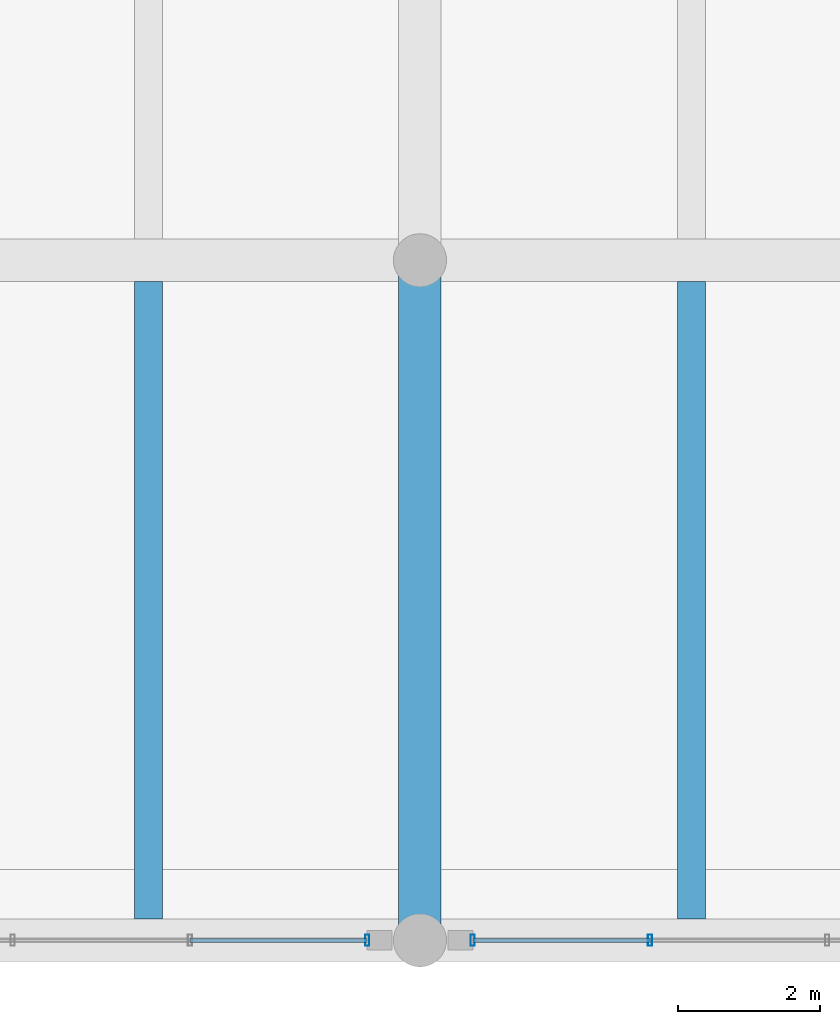
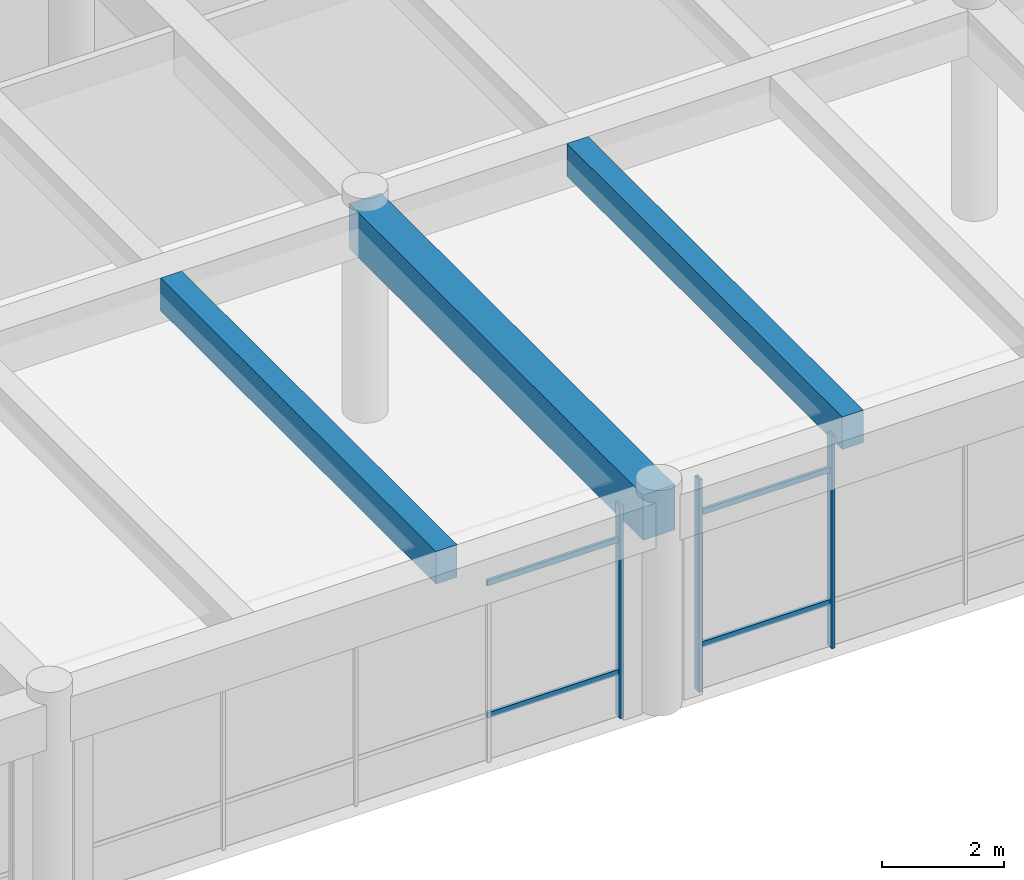
# One storey, part 32 of 154: 7 members, 3 beams, 2 elements without a shape of their own.
"""IFC4 building model written with IfcOpenShell, lengths in metres."""

from ifc_helpers import new_model, si_unit, direction, frame, origin, origin_2d, place, context, subcontext, project, spatial, rectangle, hollow_rectangle, extrude, material, material_profile, profile_set, type_object, element, aggregate, save


model = new_model("IFC4")

# Units and contexts
model_context = context("Model", 3, precision=1e-05, world=origin(), true_north=direction((0.0, 1.0)))
body_context = subcontext(model_context, "Body", "Model", "MODEL_VIEW")
ifc_project = project(units=[si_unit("LENGTHUNIT", "METRE"), si_unit("AREAUNIT", "SQUARE_METRE"), si_unit("VOLUMEUNIT", "CUBIC_METRE"), si_unit("PLANEANGLEUNIT", "RADIAN"), si_unit("MASSUNIT", "GRAM", prefix="KILO")], contexts=[model_context])

# Site, building, storey
site_placement = place(None, origin())
site = spatial("IfcSite", under=ifc_project, at=site_placement, CompositionType="ELEMENT")
building_placement = place(site_placement, origin())
building = spatial("IfcBuilding", under=site, at=building_placement, Name="Ologun Quay Terminus", CompositionType="ELEMENT")
storey_placement = place(building_placement, frame((0.0, 0.0, 13.800048828125)))
storey = spatial("IfcBuildingStorey", under=building, at=storey_placement, Name="L03", CompositionType="ELEMENT", Elevation=13.800048828125)

# Curtain wall, member
ifc_material_1 = material(Name="Aluminium 6063-T6", Category="aluminium")
curtain_wall_type = type_object("IfcCurtainWallType", Name="South Pavilion Reading Hall Curtain Wall 10700x4150", PredefinedType="USERDEFINED", material=ifc_material_1)
curtain_wall_1_placement = place(storey_placement, origin())
curtain_wall_1 = element("IfcCurtainWall", 1, at=curtain_wall_1_placement, inside=storey, type_object=curtain_wall_type, Name="CW-06 Curtain Wall CW-L03-036", ObjectType="UNITISED CURTAIN WALL", PredefinedType="USERDEFINED")
ifc_material_2 = material(Name="Aluminium 6063-T6", Category="aluminium")
ifc_material_profile_1 = material_profile(ifc_material_2, hollow_rectangle(XDim=0.06005859375, YDim=0.159912109375, WallThickness=0.00390625, at=origin_2d()), Name="ALU 160x60x4")
ifc_profile_set_1 = profile_set([ifc_material_profile_1], Name="Aluminium 6063-T6")
member_type_1 = type_object("IfcMemberType", Name="Curtain Wall Standard Mullion 160x65", PredefinedType="MULLION", material=ifc_profile_set_1)
member_1_placement = place(storey_placement, frame((91.2548828125, 8.0, 0.0), z_axis=(0.0, 0.0, 1.0), x_axis=(1.0, 0.0, 0.0)))
member_1 = element("IfcMember", 2, at=member_1_placement, type_object=member_type_1, Name="CW-L03-036 Mullion 5", PredefinedType="MULLION", context=body_context, shape_type="SweptSolid", body=[
    extrude(hollow_rectangle(XDim=0.06005859375, YDim=0.159912109375, WallThickness=0.00390625, at=origin_2d()), origin(), (0.0, 0.0, 1.0), 4.239990234375),
])

# Curtain wall, members
curtain_wall_2_placement = place(storey_placement, origin())
curtain_wall_2 = element("IfcCurtainWall", 3, at=curtain_wall_2_placement, inside=storey, type_object=curtain_wall_type, Name="CW-06 Curtain Wall CW-L03-037", ObjectType="UNITISED CURTAIN WALL", PredefinedType="USERDEFINED")
member_2_placement = place(storey_placement, frame((92.7451171875, 8.0, 0.0), z_axis=(0.0, 0.0, 1.0), x_axis=(1.0, 0.0, 0.0)))
member_2 = element("IfcMember", 4, at=member_2_placement, type_object=member_type_1, Name="CW-L03-037 Mullion 1", PredefinedType="MULLION", context=body_context, shape_type="SweptSolid", body=[
    extrude(hollow_rectangle(XDim=0.06005859375, YDim=0.159912109375, WallThickness=0.00390625, at=origin_2d()), origin(), (0.0, 0.0, 1.0), 4.239990234375),
])
member_3_placement = place(storey_placement, frame((95.24755859375, 8.0, 0.0), z_axis=(0.0, 0.0, 1.0), x_axis=(1.0, 0.0, 0.0)))
member_3 = element("IfcMember", 5, at=member_3_placement, type_object=member_type_1, Name="CW-L03-037 Mullion 2", PredefinedType="MULLION", context=body_context, shape_type="SweptSolid", body=[
    extrude(hollow_rectangle(XDim=0.06005859375, YDim=0.159912109375, WallThickness=0.00390625, at=origin_2d()), origin(), (0.0, 0.0, 1.0), 4.239990234375),
])

# Member
ifc_material_3 = material(Name="Aluminium 6063-T6", Category="aluminium")
ifc_material_profile_2 = material_profile(ifc_material_3, hollow_rectangle(XDim=0.054931640625, YDim=0.110107421875, WallThickness=0.00390625, at=origin_2d()), Name="ALU 110x55x4")
ifc_profile_set_2 = profile_set([ifc_material_profile_2], Name="Aluminium 6063-T6")
member_type_2 = type_object("IfcMemberType", Name="Curtain Wall Standard Transom 110x55", PredefinedType="USERDEFINED", material=ifc_profile_set_2)
member_4_placement = place(storey_placement, frame((88.75244140625, 8.0, 0.89990234375), z_axis=(1.0, 0.0, 0.0), x_axis=(0.0, 1.0, 0.0)))
member_4 = element("IfcMember", 6, at=member_4_placement, type_object=member_type_2, Name="CW-L03-036 Transom B4-1", ObjectType="TRANSOM", PredefinedType="USERDEFINED", context=body_context, shape_type="SweptSolid", body=[
    extrude(hollow_rectangle(XDim=0.054931640625, YDim=0.110107421875, WallThickness=0.00390625, at=origin_2d()), origin(), (0.0, 0.0, 1.0), 2.50244140625),
])

member_5_placement = place(storey_placement, frame((88.75244140625, 8.0, 3.5400390625), z_axis=(1.0, 0.0, 0.0), x_axis=(0.0, 1.0, 0.0)))
member_5 = element("IfcMember", 7, at=member_5_placement, type_object=member_type_2, Name="CW-L03-036 Transom B4-2", ObjectType="TRANSOM", PredefinedType="USERDEFINED", context=body_context, shape_type="SweptSolid", body=[
    extrude(hollow_rectangle(XDim=0.054931640625, YDim=0.110107421875, WallThickness=0.00390625, at=origin_2d()), origin(), (0.0, 0.0, 1.0), 2.50244140625),
])

aggregate(curtain_wall_1, [member_1, member_4, member_5])

member_6_placement = place(storey_placement, frame((92.7451171875, 8.0, 0.89990234375), z_axis=(1.0, 0.0, 0.0), x_axis=(0.0, 1.0, 0.0)))
member_6 = element("IfcMember", 8, at=member_6_placement, type_object=member_type_2, Name="CW-L03-037 Transom B1-1", ObjectType="TRANSOM", PredefinedType="USERDEFINED", context=body_context, shape_type="SweptSolid", body=[
    extrude(hollow_rectangle(XDim=0.054931640625, YDim=0.110107421875, WallThickness=0.00390625, at=origin_2d()), origin(), (0.0, 0.0, 1.0), 2.50244140625),
])

member_7_placement = place(storey_placement, frame((92.7451171875, 8.0, 3.5400390625), z_axis=(1.0, 0.0, 0.0), x_axis=(0.0, 1.0, 0.0)))
member_7 = element("IfcMember", 9, at=member_7_placement, type_object=member_type_2, Name="CW-L03-037 Transom B1-2", ObjectType="TRANSOM", PredefinedType="USERDEFINED", context=body_context, shape_type="SweptSolid", body=[
    extrude(hollow_rectangle(XDim=0.054931640625, YDim=0.110107421875, WallThickness=0.00390625, at=origin_2d()), origin(), (0.0, 0.0, 1.0), 2.50244140625),
])

aggregate(curtain_wall_2, [member_2, member_3, member_6, member_7])

# Beams
ifc_material_4 = material(Name="Concrete C40/50", Category="concrete")
ifc_material_profile_3 = material_profile(ifc_material_4, rectangle(XDim=0.60009765625, YDim=0.89990234375, at=origin_2d()), Name="RC 600x900")
ifc_profile_set_3 = profile_set([ifc_material_profile_3], Name="Concrete C40/50")
beam_type_1 = type_object("IfcBeamType", Name="Station Frame Girder 600x900", PredefinedType="BEAM", material=ifc_profile_set_3)
beam_placement = place(storey_placement, frame((92.0, 8.0, 3.800048828125), z_axis=(0.0, 1.0, 0.0), x_axis=(-1.0, 0.0, 0.0)))
element("IfcBeam", 10, at=beam_placement, inside=storey, type_object=beam_type_1, Name="B3 Beam 9/B L03", PredefinedType="BEAM", context=body_context, shape_type="SweptSolid", body=[
    extrude(rectangle(XDim=0.60009765625, YDim=0.89990234375, at=origin_2d()), origin(), (0.0, 0.0, 1.0), 9.60009765625),
])
ifc_material_5 = material(Name="Concrete C40/50", Category="concrete")
ifc_material_profile_4 = material_profile(ifc_material_5, rectangle(XDim=0.39990234375, YDim=0.64990234375, at=origin_2d()), Name="RC 400x650")
ifc_profile_set_4 = profile_set([ifc_material_profile_4], Name="Concrete C40/50")
beam_type_2 = type_object("IfcBeamType", Name="Station Secondary Joist 400x650", PredefinedType="JOIST", material=ifc_profile_set_4)
for number, where, z_axis, x_axis, name in (
    (11, (88.166748046875, 8.300048828125, 3.925048828125), (0.0, 1.0, 0.0), (-1.0, 0.0, 0.0), "J1 Beam 8/B L03"),
    (12, (95.833251953125, 8.300048828125, 3.925048828125), (0.0, 1.0, 0.0), (-1.0, 0.0, 0.0), "J1 Beam 9/B L03"),
):
    element("IfcBeam", number, at=place(storey_placement, frame(where, z_axis=z_axis, x_axis=x_axis)), inside=storey, type_object=beam_type_2, Name=name, PredefinedType="JOIST", context=body_context, shape_type="SweptSolid", body=[
        extrude(rectangle(XDim=0.39990234375, YDim=0.64990234375, at=origin_2d()), origin(), (0.0, 0.0, 1.0), 9.0),
    ])

save(model, "model.ifc")
